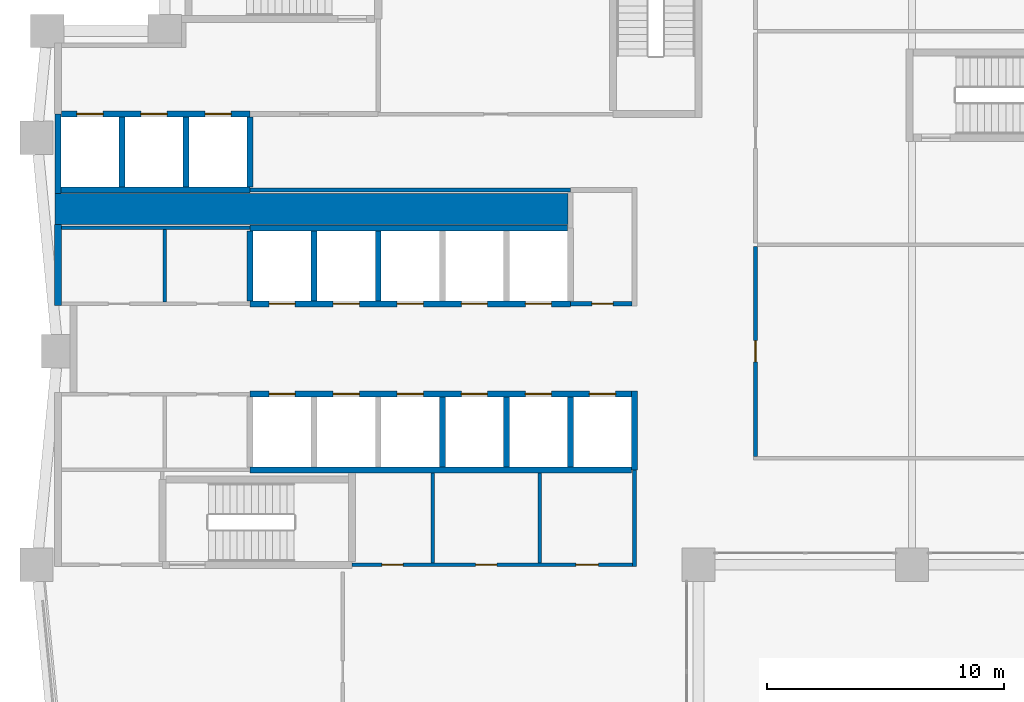
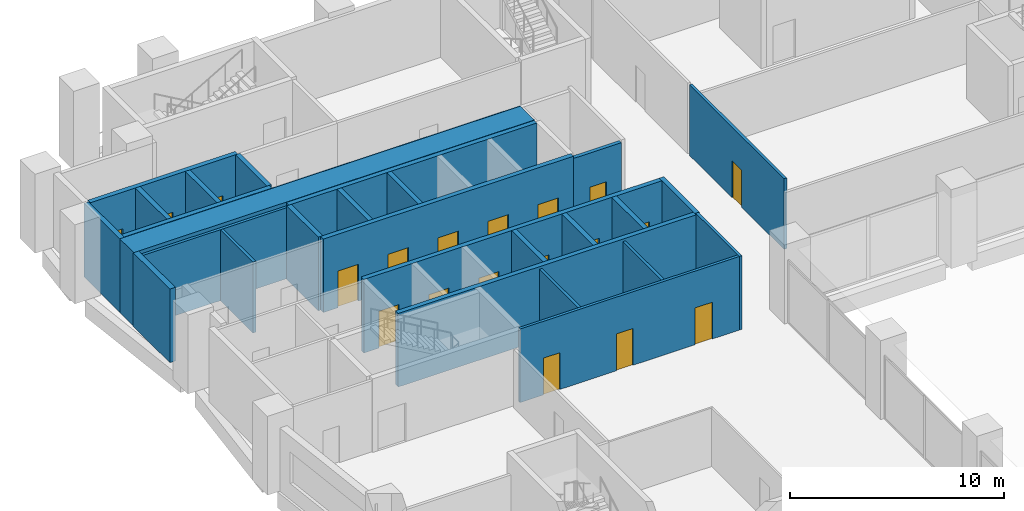
# One storey, part 11 of 18: 28 walls, 19 doors, 19 openings.
"""IFC4 building model written with IfcOpenShell, lengths in metres."""

from ifc_helpers import new_model, si_unit, direction, frame, frame_2d, origin, place, context, subcontext, project, spatial, rectangle, extrude, material, layer, layer_set, type_object, element, fill, save


model = new_model("IFC4")

# Units and contexts
model_context = context("Model", 3, precision=1e-05, world=origin(), true_north=direction((0.0, 1.0)))
body_context = subcontext(model_context, "Body", "Model", "MODEL_VIEW")
ifc_project = project(units=[si_unit("LENGTHUNIT", "METRE"), si_unit("AREAUNIT", "SQUARE_METRE"), si_unit("VOLUMEUNIT", "CUBIC_METRE"), si_unit("PLANEANGLEUNIT", "RADIAN"), si_unit("MASSUNIT", "GRAM", prefix="KILO")], contexts=[model_context])

# Site, building, storey
site_placement = place(None, origin())
site = spatial("IfcSite", under=ifc_project, at=site_placement, CompositionType="ELEMENT")
building_placement = place(site_placement, origin())
building = spatial("IfcBuilding", under=site, at=building_placement, Name="Brondeck Convention Tower", CompositionType="ELEMENT")
storey_placement = place(building_placement, frame((0.0, 0.0, 27.5)))
storey = spatial("IfcBuildingStorey", under=building, at=storey_placement, Name="L04", CompositionType="ELEMENT", Elevation=27.5)

# Wall, openings, doors
ifc_material_1 = material(Name="Concrete C80/95", Category="concrete")
ifc_layer_1 = layer(ifc_material_1, 0.14990234375)
ifc_layer_set_1 = layer_set([ifc_layer_1], Name="Core beam-seat wall 150 Concrete C80/95")
wall_type_1 = type_object("IfcWallType", Name="Core beam-seat wall 150 Concrete C80/95", PredefinedType="SHEAR", material=ifc_layer_set_1)
wall_1_placement = place(storey_placement, frame((12.39990234375, 36.0, 0.0), z_axis=(0.0, 0.0, 1.0), x_axis=(1.0, 0.0, 0.0)))
wall_1 = element("IfcWall", 1, at=wall_1_placement, inside=storey, type_object=wall_type_1, Name="L04 core wall", PredefinedType="SHEAR", context=body_context, shape_type="SweptSolid", body=[
    extrude(rectangle(XDim=11.8251953125, YDim=0.14990234375, at=frame_2d((5.91259765625, 0.0))), origin(), (0.0, 0.0, 1.0), 4.199951171875),
])
opening_1_placement = place(wall_1_placement, frame((1.25, 0.0, 0.0)))
opening_1 = element("IfcOpeningElement", 2, at=opening_1_placement, cuts=wall_1, Name="Opening C06-03", PredefinedType="OPENING", context=body_context, shape_type="SweptSolid", body=[
    extrude(rectangle(XDim=0.89990234375, YDim=2.10009765625, at=frame_2d((0.449951171875, 1.050048828125))), frame((0.0, 0.0849609375, 0.0), z_axis=(0.0, -1.0, 0.0), x_axis=(1.0, 0.0, 0.0)), (0.0, 0.0, 1.0), 0.169921875),
])
opening_2_placement = place(wall_1_placement, frame((5.199951171875, 0.0, 0.0)))
opening_2 = element("IfcOpeningElement", 3, at=opening_2_placement, cuts=wall_1, Name="Opening C06-04", PredefinedType="OPENING", context=body_context, shape_type="SweptSolid", body=[
    extrude(rectangle(XDim=0.89990234375, YDim=2.10009765625, at=frame_2d((0.449951171875, 1.050048828125))), frame((0.0, 0.0849609375, 0.0), z_axis=(0.0, -1.0, 0.0), x_axis=(1.0, 0.0, 0.0)), (0.0, 0.0, 1.0), 0.169921875),
])
opening_3_placement = place(wall_1_placement, frame((9.425048828125, 0.0, 0.0)))
opening_3 = element("IfcOpeningElement", 4, at=opening_3_placement, cuts=wall_1, Name="Opening C06-05", PredefinedType="OPENING", context=body_context, shape_type="SweptSolid", body=[
    extrude(rectangle(XDim=0.949951171875, YDim=2.10009765625, at=frame_2d((0.47509765625, 1.050048828125))), frame((0.0, 0.0849609375, 0.0), z_axis=(0.0, -1.0, 0.0), x_axis=(1.0, 0.0, 0.0)), (0.0, 0.0, 1.0), 0.169921875),
])
ifc_material_2 = material(Name="Steel fire door", Category="steel")
door_type_1 = type_object("IfcDoorType", Name="Room door 900x2100 EI 60", OperationType="NOTDEFINED", PredefinedType="DOOR", material=ifc_material_2)
door_1_placement = place(opening_1_placement, origin())
door_1 = element("IfcDoor", 5, at=door_1_placement, inside=storey, type_object=door_type_1, Name="L04 Room door FR-1", OperationType="SINGLE_SWING_RIGHT", OverallHeight=2.10009765625, OverallWidth=0.89990234375, PredefinedType="DOOR", context=body_context, shape_type="SweptSolid", body=[
    extrude(rectangle(XDim=0.89990234375, YDim=2.10009765625, at=frame_2d((0.449951171875, 1.050048828125))), frame((0.0, 0.02490234375, 0.0), z_axis=(0.0, -1.0, 0.0), x_axis=(1.0, 0.0, 0.0)), (0.0, 0.0, 1.0), 0.050048828125),
])
fill(opening_1, door_1)
door_2_placement = place(opening_2_placement, origin())
door_2 = element("IfcDoor", 6, at=door_2_placement, inside=storey, type_object=door_type_1, Name="L04 Room door FR-2", OperationType="SINGLE_SWING_LEFT", OverallHeight=2.10009765625, OverallWidth=0.89990234375, PredefinedType="DOOR", context=body_context, shape_type="SweptSolid", body=[
    extrude(rectangle(XDim=0.89990234375, YDim=2.10009765625, at=frame_2d((0.449951171875, 1.050048828125))), frame((0.0, 0.02490234375, 0.0), z_axis=(0.0, -1.0, 0.0), x_axis=(1.0, 0.0, 0.0)), (0.0, 0.0, 1.0), 0.050048828125),
])
fill(opening_2, door_2)
door_type_2 = type_object("IfcDoorType", Name="Room door 950x2100 EI 60", OperationType="NOTDEFINED", PredefinedType="DOOR", material=ifc_material_2)
door_3_placement = place(opening_3_placement, origin())
door_3 = element("IfcDoor", 7, at=door_3_placement, inside=storey, type_object=door_type_2, Name="L04 Room door FR-3", OperationType="SINGLE_SWING_RIGHT", OverallHeight=2.10009765625, OverallWidth=0.949951171875, PredefinedType="DOOR", context=body_context, shape_type="SweptSolid", body=[
    extrude(rectangle(XDim=0.949951171875, YDim=2.10009765625, at=frame_2d((0.47509765625, 1.050048828125))), frame((0.0, 0.02490234375, 0.0), z_axis=(0.0, -1.0, 0.0), x_axis=(1.0, 0.0, 0.0)), (0.0, 0.0, 1.0), 0.050048828125),
])
fill(opening_3, door_3)

# Walls
wall_2_placement = place(storey_placement, frame((24.300048828125, 35.925048828125, 0.0), z_axis=(0.0, 0.0, 1.0), x_axis=(0.0, 1.0, 0.0)))
element("IfcWall", 8, at=wall_2_placement, inside=storey, type_object=wall_type_1, Name="L04 core wall", PredefinedType="SHEAR", context=body_context, shape_type="SweptSolid", body=[
    extrude(rectangle(XDim=4.074951171875, YDim=0.14990234375, at=frame_2d((2.03759765625, 0.0))), origin(), (0.0, 0.0, 1.0), 4.199951171875),
])
ifc_layer_2 = layer(ifc_material_1, 0.300048828125)
ifc_layer_set_2 = layer_set([ifc_layer_2], Name="Core outer wall 300 Concrete C80/95")
wall_type_2 = type_object("IfcWallType", Name="Core outer wall 300 Concrete C80/95", PredefinedType="SHEAR", material=ifc_layer_set_2)
wall_3_placement = place(storey_placement, frame((0.0, 46.925048828125, 0.0), z_axis=(0.0, 0.0, 1.0), x_axis=(0.0, 1.0, 0.0)))
element("IfcWall", 9, at=wall_3_placement, inside=storey, type_object=wall_type_2, Name="L04 core wall", PredefinedType="SHEAR", context=body_context, shape_type="SweptSolid", body=[
    extrude(rectangle(XDim=3.425048828125, YDim=0.300048828125, at=frame_2d((1.71240234375, 0.0))), origin(), (0.0, 0.0, 1.0), 4.199951171875),
])
ifc_material_3 = material(Name="Fire-rated gypsum board partition")
ifc_layer_3 = layer(ifc_material_3, 0.14990234375)
ifc_layer_set_3 = layer_set([ifc_layer_3], Name="Core partition 150 EI 60")
wall_type_3 = type_object("IfcWallType", Name="Core partition 150 EI 60", PredefinedType="PARTITIONING", material=ifc_layer_set_3)
wall_4_placement = place(storey_placement, frame((0.14990234375, 50.199951171875, 0.0), z_axis=(0.0, 0.0, 1.0), x_axis=(1.0, 0.0, 0.0)))
element("IfcWall", 10, at=wall_4_placement, inside=storey, type_object=wall_type_3, Name="L04 core wall", PredefinedType="PARTITIONING", context=body_context, shape_type="SweptSolid", body=[
    extrude(rectangle(XDim=7.9501953125, YDim=0.14990234375, at=frame_2d((3.97509765625, 0.0))), origin(), (0.0, 0.0, 1.0), 4.050048828125),
])
wall_5_placement = place(storey_placement, frame((8.10009765625, 51.800048828125, 0.0), z_axis=(0.0, 0.0, 1.0), x_axis=(1.0, 0.0, 0.0)))
element("IfcWall", 11, at=wall_5_placement, inside=storey, type_object=wall_type_3, Name="L04 core wall", PredefinedType="PARTITIONING", context=body_context, shape_type="SweptSolid", body=[
    extrude(rectangle(XDim=13.5, YDim=0.14990234375, at=frame_2d((6.75, 0.0))), origin(), (0.0, 0.0, 1.0), 4.050048828125),
])
wall_6_placement = place(storey_placement, frame((4.5, 47.074951171875, 0.0), z_axis=(0.0, 0.0, 1.0), x_axis=(0.0, 1.0, 0.0)))
element("IfcWall", 12, at=wall_6_placement, inside=storey, type_object=wall_type_3, Name="L04 core wall", PredefinedType="PARTITIONING", context=body_context, shape_type="SweptSolid", body=[
    extrude(rectangle(XDim=3.050048828125, YDim=0.14990234375, at=frame_2d((1.52490234375, 0.0))), origin(), (0.0, 0.0, 1.0), 4.050048828125),
])
for number, where, z_axis, x_axis, name in (
    (13, (15.800048828125, 36.074951171875, 0.0), (0.0, 0.0, 1.0), (0.0, 1.0, 0.0), "L04 core wall"),
    (14, (20.300048828125, 36.074951171875, 0.0), (0.0, 0.0, 1.0), (0.0, 1.0, 0.0), "L04 core wall"),
):
    element("IfcWall", number, at=place(storey_placement, frame(where, z_axis=z_axis, x_axis=x_axis)), inside=storey, type_object=wall_type_3, Name=name, PredefinedType="PARTITIONING", context=body_context, shape_type="SweptSolid", body=[
        extrude(rectangle(XDim=3.800048828125, YDim=0.14990234375, at=frame_2d((1.89990234375, 0.0))), origin(), (0.0, 0.0, 1.0), 4.050048828125),
    ])
ifc_layer_4 = layer(ifc_material_1, 1.300048828125)
ifc_layer_set_4 = layer_set([ifc_layer_4], Name="Core shear wall 1300 Concrete C80/95")
wall_type_4 = type_object("IfcWallType", Name="Core shear wall 1300 Concrete C80/95", PredefinedType="SHEAR", material=ifc_layer_set_4)
wall_7_placement = place(storey_placement, frame((-0.125, 51.0, 0.0), z_axis=(0.0, 0.0, 1.0), x_axis=(1.0, 0.0, 0.0)))
element("IfcWall", 15, at=wall_7_placement, inside=storey, type_object=wall_type_4, Name="L04 core wall", PredefinedType="SHEAR", context=body_context, shape_type="SweptSolid", body=[
    extrude(rectangle(XDim=21.625, YDim=1.300048828125, at=frame_2d((10.8125, 0.0))), origin(), (0.0, 0.0, 1.0), 4.199951171875),
])

# Wall, opening, door
ifc_material_4 = material(Name="Double gypsum board acoustic wall")
ifc_layer_5 = layer(ifc_material_4, 0.14990234375)
ifc_layer_set_5 = layer_set([ifc_layer_5], Name="Guest room party wall 150")
wall_type_5 = type_object("IfcWallType", Name="Guest room party wall 150", PredefinedType="PARTITIONING", material=ifc_layer_set_5)
wall_8_placement = place(storey_placement, frame((29.39990234375, 49.425048828125, 0.0), z_axis=(0.0, 0.0, 1.0), x_axis=(0.0, -1.0, 0.0)))
wall_8 = element("IfcWall", 16, at=wall_8_placement, inside=storey, type_object=wall_type_5, Name="FLR-L04-W018", PredefinedType="PARTITIONING", context=body_context, shape_type="SweptSolid", body=[
    extrude(rectangle(XDim=8.85009765625, YDim=0.14990234375, at=frame_2d((4.425048828125, 0.0))), origin(), (0.0, 0.0, 1.0), 4.030029296875),
])
opening_4_placement = place(wall_8_placement, frame((3.97509765625, 0.0, 0.0)))
opening_4 = element("IfcOpeningElement", 17, at=opening_4_placement, cuts=wall_8, Name="Opening P-L04-001", PredefinedType="OPENING", context=body_context, shape_type="SweptSolid", body=[
    extrude(rectangle(XDim=0.89990234375, YDim=2.10009765625, at=frame_2d((0.449951171875, 1.050048828125))), frame((0.0, 0.0849609375, 0.0), z_axis=(0.0, -1.0, 0.0), x_axis=(1.0, 0.0, 0.0)), (0.0, 0.0, 1.0), 0.169921875),
])
ifc_material_5 = material(Name="Solid timber door leaf", Category="wood")
door_type_3 = type_object("IfcDoorType", Name="Single door 900", OperationType="NOTDEFINED", PredefinedType="DOOR", material=ifc_material_5)
door_4_placement = place(opening_4_placement, origin())
door_4 = element("IfcDoor", 18, at=door_4_placement, inside=storey, type_object=door_type_3, Name="Door P-L04-001", OperationType="SINGLE_SWING_LEFT", OverallHeight=2.10009765625, OverallWidth=0.89990234375, PredefinedType="DOOR", context=body_context, shape_type="SweptSolid", body=[
    extrude(rectangle(XDim=0.89990234375, YDim=2.10009765625, at=frame_2d((0.449951171875, 1.050048828125))), frame((0.0, 0.02490234375, 0.0), z_axis=(0.0, -1.0, 0.0), x_axis=(1.0, 0.0, 0.0)), (0.0, 0.0, 1.0), 0.050048828125),
])
fill(opening_4, door_4)

# Wall
ifc_layer_6 = layer(ifc_material_1, 0.25)
ifc_layer_set_6 = layer_set([ifc_layer_6], Name="Lift shaft wall 250 Concrete C80/95")
wall_type_6 = type_object("IfcWallType", Name="Lift shaft wall 250 Concrete C80/95", PredefinedType="SHEAR", material=ifc_layer_set_6)
wall_9_placement = place(storey_placement, frame((8.10009765625, 40.0, 0.0), z_axis=(0.0, 0.0, 1.0), x_axis=(1.0, 0.0, 0.0)))
element("IfcWall", 19, at=wall_9_placement, inside=storey, type_object=wall_type_6, Name="L04 core wall", PredefinedType="SHEAR", context=body_context, shape_type="SweptSolid", body=[
    extrude(rectangle(XDim=16.074951171875, YDim=0.25, at=frame_2d((8.03759765625, 0.0))), origin(), (0.0, 0.0, 1.0), 4.199951171875),
])

# Wall, openings, doors
wall_10_placement = place(storey_placement, frame((8.10009765625, 43.199951171875, 0.0), z_axis=(0.0, 0.0, 1.0), x_axis=(1.0, 0.0, 0.0)))
wall_10 = element("IfcWall", 20, at=wall_10_placement, inside=storey, type_object=wall_type_6, Name="L04 core wall", PredefinedType="SHEAR", context=body_context, shape_type="SweptSolid", body=[
    extrude(rectangle(XDim=16.074951171875, YDim=0.25, at=frame_2d((8.03759765625, 0.0))), origin(), (0.0, 0.0, 1.0), 4.199951171875),
])
opening_5_placement = place(wall_10_placement, frame((14.300048828125, 0.0, 0.0)))
opening_5 = element("IfcOpeningElement", 21, at=opening_5_placement, cuts=wall_10, Name="Opening C06-24", PredefinedType="OPENING", context=body_context, shape_type="SweptSolid", body=[
    extrude(rectangle(XDim=1.10009765625, YDim=2.10009765625, at=frame_2d((0.550048828125, 1.050048828125))), frame((0.0, 0.135009765625, 0.0), z_axis=(0.0, -1.0, 0.0), x_axis=(1.0, 0.0, 0.0)), (0.0, 0.0, 1.0), 0.27001953125),
])
opening_6_placement = place(wall_10_placement, frame((0.800048828125, 0.0, 0.0)))
opening_6 = element("IfcOpeningElement", 22, at=opening_6_placement, cuts=wall_10, Name="Opening C06-25", PredefinedType="OPENING", context=body_context, shape_type="SweptSolid", body=[
    extrude(rectangle(XDim=1.10009765625, YDim=2.10009765625, at=frame_2d((0.550048828125, 1.050048828125))), frame((0.0, 0.135009765625, 0.0), z_axis=(0.0, -1.0, 0.0), x_axis=(1.0, 0.0, 0.0)), (0.0, 0.0, 1.0), 0.27001953125),
])
opening_7_placement = place(wall_10_placement, frame((3.5, 0.0, 0.0)))
opening_7 = element("IfcOpeningElement", 23, at=opening_7_placement, cuts=wall_10, Name="Opening C06-26", PredefinedType="OPENING", context=body_context, shape_type="SweptSolid", body=[
    extrude(rectangle(XDim=1.10009765625, YDim=2.10009765625, at=frame_2d((0.550048828125, 1.050048828125))), frame((0.0, 0.135009765625, 0.0), z_axis=(0.0, -1.0, 0.0), x_axis=(1.0, 0.0, 0.0)), (0.0, 0.0, 1.0), 0.27001953125),
])
opening_8_placement = place(wall_10_placement, frame((6.199951171875, 0.0, 0.0)))
opening_8 = element("IfcOpeningElement", 24, at=opening_8_placement, cuts=wall_10, Name="Opening C06-27", PredefinedType="OPENING", context=body_context, shape_type="SweptSolid", body=[
    extrude(rectangle(XDim=1.10009765625, YDim=2.10009765625, at=frame_2d((0.550048828125, 1.050048828125))), frame((0.0, 0.135009765625, 0.0), z_axis=(0.0, -1.0, 0.0), x_axis=(1.0, 0.0, 0.0)), (0.0, 0.0, 1.0), 0.27001953125),
])
opening_9_placement = place(wall_10_placement, frame((8.89990234375, 0.0, 0.0)))
opening_9 = element("IfcOpeningElement", 25, at=opening_9_placement, cuts=wall_10, Name="Opening C06-33", PredefinedType="OPENING", context=body_context, shape_type="SweptSolid", body=[
    extrude(rectangle(XDim=1.10009765625, YDim=2.10009765625, at=frame_2d((0.550048828125, 1.050048828125))), frame((0.0, 0.135009765625, 0.0), z_axis=(0.0, -1.0, 0.0), x_axis=(1.0, 0.0, 0.0)), (0.0, 0.0, 1.0), 0.27001953125),
])
opening_10_placement = place(wall_10_placement, frame((11.60009765625, 0.0, 0.0)))
opening_10 = element("IfcOpeningElement", 26, at=opening_10_placement, cuts=wall_10, Name="Opening C06-34", PredefinedType="OPENING", context=body_context, shape_type="SweptSolid", body=[
    extrude(rectangle(XDim=1.10009765625, YDim=2.10009765625, at=frame_2d((0.550048828125, 1.050048828125))), frame((0.0, 0.135009765625, 0.0), z_axis=(0.0, -1.0, 0.0), x_axis=(1.0, 0.0, 0.0)), (0.0, 0.0, 1.0), 0.27001953125),
])
ifc_material_6 = material(Name="Stainless steel lift door", Category="steel")
door_type_4 = type_object("IfcDoorType", Name="Lift landing door 1100x2100 EI 180", OperationType="DOUBLE_DOOR_SLIDING", PredefinedType="DOOR", material=ifc_material_6)
door_5_placement = place(opening_5_placement, origin())
door_5 = element("IfcDoor", 27, at=door_5_placement, inside=storey, type_object=door_type_4, Name="L04 Lift landing door HS1", OperationType="DOUBLE_DOOR_SLIDING", OverallHeight=2.10009765625, OverallWidth=1.10009765625, PredefinedType="DOOR", context=body_context, shape_type="SweptSolid", body=[
    extrude(rectangle(XDim=1.10009765625, YDim=2.10009765625, at=frame_2d((0.550048828125, 1.050048828125))), frame((0.0, 0.02490234375, 0.0), z_axis=(0.0, -1.0, 0.0), x_axis=(1.0, 0.0, 0.0)), (0.0, 0.0, 1.0), 0.050048828125),
])
fill(opening_5, door_5)
door_6_placement = place(opening_6_placement, origin())
door_6 = element("IfcDoor", 28, at=door_6_placement, inside=storey, type_object=door_type_4, Name="L04 Lift landing door LR1", OperationType="DOUBLE_DOOR_SLIDING", OverallHeight=2.10009765625, OverallWidth=1.10009765625, PredefinedType="DOOR", context=body_context, shape_type="SweptSolid", body=[
    extrude(rectangle(XDim=1.10009765625, YDim=2.10009765625, at=frame_2d((0.550048828125, 1.050048828125))), frame((0.0, 0.02490234375, 0.0), z_axis=(0.0, -1.0, 0.0), x_axis=(1.0, 0.0, 0.0)), (0.0, 0.0, 1.0), 0.050048828125),
])
fill(opening_6, door_6)
door_7_placement = place(opening_7_placement, origin())
door_7 = element("IfcDoor", 29, at=door_7_placement, inside=storey, type_object=door_type_4, Name="L04 Lift landing door LR2", OperationType="DOUBLE_DOOR_SLIDING", OverallHeight=2.10009765625, OverallWidth=1.10009765625, PredefinedType="DOOR", context=body_context, shape_type="SweptSolid", body=[
    extrude(rectangle(XDim=1.10009765625, YDim=2.10009765625, at=frame_2d((0.550048828125, 1.050048828125))), frame((0.0, 0.02490234375, 0.0), z_axis=(0.0, -1.0, 0.0), x_axis=(1.0, 0.0, 0.0)), (0.0, 0.0, 1.0), 0.050048828125),
])
fill(opening_7, door_7)
door_8_placement = place(opening_8_placement, origin())
door_8 = element("IfcDoor", 30, at=door_8_placement, inside=storey, type_object=door_type_4, Name="L04 Lift landing door LR3", OperationType="DOUBLE_DOOR_SLIDING", OverallHeight=2.10009765625, OverallWidth=1.10009765625, PredefinedType="DOOR", context=body_context, shape_type="SweptSolid", body=[
    extrude(rectangle(XDim=1.10009765625, YDim=2.10009765625, at=frame_2d((0.550048828125, 1.050048828125))), frame((0.0, 0.02490234375, 0.0), z_axis=(0.0, -1.0, 0.0), x_axis=(1.0, 0.0, 0.0)), (0.0, 0.0, 1.0), 0.050048828125),
])
fill(opening_8, door_8)
door_9_placement = place(opening_9_placement, origin())
door_9 = element("IfcDoor", 31, at=door_9_placement, inside=storey, type_object=door_type_4, Name="L04 Lift landing door SH1", OperationType="DOUBLE_DOOR_SLIDING", OverallHeight=2.10009765625, OverallWidth=1.10009765625, PredefinedType="DOOR", context=body_context, shape_type="SweptSolid", body=[
    extrude(rectangle(XDim=1.10009765625, YDim=2.10009765625, at=frame_2d((0.550048828125, 1.050048828125))), frame((0.0, 0.02490234375, 0.0), z_axis=(0.0, -1.0, 0.0), x_axis=(1.0, 0.0, 0.0)), (0.0, 0.0, 1.0), 0.050048828125),
])
fill(opening_9, door_9)
door_10_placement = place(opening_10_placement, origin())
door_10 = element("IfcDoor", 32, at=door_10_placement, inside=storey, type_object=door_type_4, Name="L04 Lift landing door SH2", OperationType="DOUBLE_DOOR_SLIDING", OverallHeight=2.10009765625, OverallWidth=1.10009765625, PredefinedType="DOOR", context=body_context, shape_type="SweptSolid", body=[
    extrude(rectangle(XDim=1.10009765625, YDim=2.10009765625, at=frame_2d((0.550048828125, 1.050048828125))), frame((0.0, 0.02490234375, 0.0), z_axis=(0.0, -1.0, 0.0), x_axis=(1.0, 0.0, 0.0)), (0.0, 0.0, 1.0), 0.050048828125),
])
fill(opening_10, door_10)

wall_11_placement = place(storey_placement, frame((8.10009765625, 47.0, 0.0), z_axis=(0.0, 0.0, 1.0), x_axis=(1.0, 0.0, 0.0)))
wall_11 = element("IfcWall", 33, at=wall_11_placement, inside=storey, type_object=wall_type_6, Name="L04 core wall", PredefinedType="SHEAR", context=body_context, shape_type="SweptSolid", body=[
    extrude(rectangle(XDim=13.5, YDim=0.25, at=frame_2d((6.75, 0.0))), origin(), (0.0, 0.0, 1.0), 4.199951171875),
])
opening_11_placement = place(wall_11_placement, frame((0.800048828125, 0.0, 0.0)))
opening_11 = element("IfcOpeningElement", 34, at=opening_11_placement, cuts=wall_11, Name="Opening C06-28", PredefinedType="OPENING", context=body_context, shape_type="SweptSolid", body=[
    extrude(rectangle(XDim=1.10009765625, YDim=2.10009765625, at=frame_2d((0.550048828125, 1.050048828125))), frame((0.0, 0.135009765625, 0.0), z_axis=(0.0, -1.0, 0.0), x_axis=(1.0, 0.0, 0.0)), (0.0, 0.0, 1.0), 0.27001953125),
])
opening_12_placement = place(wall_11_placement, frame((3.5, 0.0, 0.0)))
opening_12 = element("IfcOpeningElement", 35, at=opening_12_placement, cuts=wall_11, Name="Opening C06-29", PredefinedType="OPENING", context=body_context, shape_type="SweptSolid", body=[
    extrude(rectangle(XDim=1.10009765625, YDim=2.10009765625, at=frame_2d((0.550048828125, 1.050048828125))), frame((0.0, 0.135009765625, 0.0), z_axis=(0.0, -1.0, 0.0), x_axis=(1.0, 0.0, 0.0)), (0.0, 0.0, 1.0), 0.27001953125),
])
opening_13_placement = place(wall_11_placement, frame((6.199951171875, 0.0, 0.0)))
opening_13 = element("IfcOpeningElement", 36, at=opening_13_placement, cuts=wall_11, Name="Opening C06-30", PredefinedType="OPENING", context=body_context, shape_type="SweptSolid", body=[
    extrude(rectangle(XDim=1.10009765625, YDim=2.10009765625, at=frame_2d((0.550048828125, 1.050048828125))), frame((0.0, 0.135009765625, 0.0), z_axis=(0.0, -1.0, 0.0), x_axis=(1.0, 0.0, 0.0)), (0.0, 0.0, 1.0), 0.27001953125),
])
opening_14_placement = place(wall_11_placement, frame((8.89990234375, 0.0, 0.0)))
opening_14 = element("IfcOpeningElement", 37, at=opening_14_placement, cuts=wall_11, Name="Opening C06-31", PredefinedType="OPENING", context=body_context, shape_type="SweptSolid", body=[
    extrude(rectangle(XDim=1.10009765625, YDim=2.10009765625, at=frame_2d((0.550048828125, 1.050048828125))), frame((0.0, 0.135009765625, 0.0), z_axis=(0.0, -1.0, 0.0), x_axis=(1.0, 0.0, 0.0)), (0.0, 0.0, 1.0), 0.27001953125),
])
opening_15_placement = place(wall_11_placement, frame((11.60009765625, 0.0, 0.0)))
opening_15 = element("IfcOpeningElement", 38, at=opening_15_placement, cuts=wall_11, Name="Opening C06-32", PredefinedType="OPENING", context=body_context, shape_type="SweptSolid", body=[
    extrude(rectangle(XDim=1.10009765625, YDim=2.10009765625, at=frame_2d((0.550048828125, 1.050048828125))), frame((0.0, 0.135009765625, 0.0), z_axis=(0.0, -1.0, 0.0), x_axis=(1.0, 0.0, 0.0)), (0.0, 0.0, 1.0), 0.27001953125),
])
door_11_placement = place(opening_11_placement, origin())
door_11 = element("IfcDoor", 39, at=door_11_placement, inside=storey, type_object=door_type_4, Name="L04 Lift landing door LR4", OperationType="DOUBLE_DOOR_SLIDING", OverallHeight=2.10009765625, OverallWidth=1.10009765625, PredefinedType="DOOR", context=body_context, shape_type="SweptSolid", body=[
    extrude(rectangle(XDim=1.10009765625, YDim=2.10009765625, at=frame_2d((0.550048828125, 1.050048828125))), frame((0.0, 0.02490234375, 0.0), z_axis=(0.0, -1.0, 0.0), x_axis=(1.0, 0.0, 0.0)), (0.0, 0.0, 1.0), 0.050048828125),
])
fill(opening_11, door_11)
door_12_placement = place(opening_12_placement, origin())
door_12 = element("IfcDoor", 40, at=door_12_placement, inside=storey, type_object=door_type_4, Name="L04 Lift landing door LR5", OperationType="DOUBLE_DOOR_SLIDING", OverallHeight=2.10009765625, OverallWidth=1.10009765625, PredefinedType="DOOR", context=body_context, shape_type="SweptSolid", body=[
    extrude(rectangle(XDim=1.10009765625, YDim=2.10009765625, at=frame_2d((0.550048828125, 1.050048828125))), frame((0.0, 0.02490234375, 0.0), z_axis=(0.0, -1.0, 0.0), x_axis=(1.0, 0.0, 0.0)), (0.0, 0.0, 1.0), 0.050048828125),
])
fill(opening_12, door_12)
door_13_placement = place(opening_13_placement, origin())
door_13 = element("IfcDoor", 41, at=door_13_placement, inside=storey, type_object=door_type_4, Name="L04 Lift landing door LR6", OperationType="DOUBLE_DOOR_SLIDING", OverallHeight=2.10009765625, OverallWidth=1.10009765625, PredefinedType="DOOR", context=body_context, shape_type="SweptSolid", body=[
    extrude(rectangle(XDim=1.10009765625, YDim=2.10009765625, at=frame_2d((0.550048828125, 1.050048828125))), frame((0.0, 0.02490234375, 0.0), z_axis=(0.0, -1.0, 0.0), x_axis=(1.0, 0.0, 0.0)), (0.0, 0.0, 1.0), 0.050048828125),
])
fill(opening_13, door_13)
door_14_placement = place(opening_14_placement, origin())
door_14 = element("IfcDoor", 42, at=door_14_placement, inside=storey, type_object=door_type_4, Name="L04 Lift landing door PL1", OperationType="DOUBLE_DOOR_SLIDING", OverallHeight=2.10009765625, OverallWidth=1.10009765625, PredefinedType="DOOR", context=body_context, shape_type="SweptSolid", body=[
    extrude(rectangle(XDim=1.10009765625, YDim=2.10009765625, at=frame_2d((0.550048828125, 1.050048828125))), frame((0.0, 0.02490234375, 0.0), z_axis=(0.0, -1.0, 0.0), x_axis=(1.0, 0.0, 0.0)), (0.0, 0.0, 1.0), 0.050048828125),
])
fill(opening_14, door_14)
door_15_placement = place(opening_15_placement, origin())
door_15 = element("IfcDoor", 43, at=door_15_placement, inside=storey, type_object=door_type_4, Name="L04 Lift landing door PL2", OperationType="DOUBLE_DOOR_SLIDING", OverallHeight=2.10009765625, OverallWidth=1.10009765625, PredefinedType="DOOR", context=body_context, shape_type="SweptSolid", body=[
    extrude(rectangle(XDim=1.10009765625, YDim=2.10009765625, at=frame_2d((0.550048828125, 1.050048828125))), frame((0.0, 0.02490234375, 0.0), z_axis=(0.0, -1.0, 0.0), x_axis=(1.0, 0.0, 0.0)), (0.0, 0.0, 1.0), 0.050048828125),
])
fill(opening_15, door_15)

# Walls
wall_12_placement = place(storey_placement, frame((8.10009765625, 50.199951171875, 0.0), z_axis=(0.0, 0.0, 1.0), x_axis=(1.0, 0.0, 0.0)))
element("IfcWall", 44, at=wall_12_placement, inside=storey, type_object=wall_type_6, Name="L04 core wall", PredefinedType="SHEAR", context=body_context, shape_type="SweptSolid", body=[
    extrude(rectangle(XDim=13.375, YDim=0.25, at=frame_2d((6.6875, 0.0))), origin(), (0.0, 0.0, 1.0), 4.199951171875),
])
wall_13_placement = place(storey_placement, frame((0.125, 51.800048828125, 0.0), z_axis=(0.0, 0.0, 1.0), x_axis=(1.0, 0.0, 0.0)))
element("IfcWall", 45, at=wall_13_placement, inside=storey, type_object=wall_type_6, Name="L04 core wall", PredefinedType="SHEAR", context=body_context, shape_type="SweptSolid", body=[
    extrude(rectangle(XDim=7.97509765625, YDim=0.25, at=frame_2d((3.987548828125, 0.0))), origin(), (0.0, 0.0, 1.0), 4.199951171875),
])

# Wall, openings, doors
wall_14_placement = place(storey_placement, frame((0.14990234375, 55.0, 0.0), z_axis=(0.0, 0.0, 1.0), x_axis=(1.0, 0.0, 0.0)))
wall_14 = element("IfcWall", 46, at=wall_14_placement, inside=storey, type_object=wall_type_6, Name="L04 core wall", PredefinedType="SHEAR", context=body_context, shape_type="SweptSolid", body=[
    extrude(rectangle(XDim=7.9501953125, YDim=0.25, at=frame_2d((3.97509765625, 0.0))), origin(), (0.0, 0.0, 1.0), 4.199951171875),
])
opening_16_placement = place(wall_14_placement, frame((0.64990234375, 0.0, 0.0)))
opening_16 = element("IfcOpeningElement", 47, at=opening_16_placement, cuts=wall_14, Name="Opening C06-21", PredefinedType="OPENING", context=body_context, shape_type="SweptSolid", body=[
    extrude(rectangle(XDim=1.10009765625, YDim=2.10009765625, at=frame_2d((0.550048828125, 1.050048828125))), frame((0.0, 0.135009765625, 0.0), z_axis=(0.0, -1.0, 0.0), x_axis=(1.0, 0.0, 0.0)), (0.0, 0.0, 1.0), 0.27001953125),
])
opening_17_placement = place(wall_14_placement, frame((3.35009765625, 0.0, 0.0)))
opening_17 = element("IfcOpeningElement", 48, at=opening_17_placement, cuts=wall_14, Name="Opening C06-22", PredefinedType="OPENING", context=body_context, shape_type="SweptSolid", body=[
    extrude(rectangle(XDim=1.10009765625, YDim=2.10009765625, at=frame_2d((0.550048828125, 1.050048828125))), frame((0.0, 0.135009765625, 0.0), z_axis=(0.0, -1.0, 0.0), x_axis=(1.0, 0.0, 0.0)), (0.0, 0.0, 1.0), 0.27001953125),
])
opening_18_placement = place(wall_14_placement, frame((6.050048828125, 0.0, 0.0)))
opening_18 = element("IfcOpeningElement", 49, at=opening_18_placement, cuts=wall_14, Name="Opening C06-23", PredefinedType="OPENING", context=body_context, shape_type="SweptSolid", body=[
    extrude(rectangle(XDim=1.10009765625, YDim=2.10009765625, at=frame_2d((0.550048828125, 1.050048828125))), frame((0.0, 0.135009765625, 0.0), z_axis=(0.0, -1.0, 0.0), x_axis=(1.0, 0.0, 0.0)), (0.0, 0.0, 1.0), 0.27001953125),
])
door_16_placement = place(opening_16_placement, origin())
door_16 = element("IfcDoor", 50, at=door_16_placement, inside=storey, type_object=door_type_4, Name="L04 Lift landing door FF1", OperationType="DOUBLE_DOOR_SLIDING", OverallHeight=2.10009765625, OverallWidth=1.10009765625, PredefinedType="DOOR", context=body_context, shape_type="SweptSolid", body=[
    extrude(rectangle(XDim=1.10009765625, YDim=2.10009765625, at=frame_2d((0.550048828125, 1.050048828125))), frame((0.0, 0.02490234375, 0.0), z_axis=(0.0, -1.0, 0.0), x_axis=(1.0, 0.0, 0.0)), (0.0, 0.0, 1.0), 0.050048828125),
])
fill(opening_16, door_16)
door_17_placement = place(opening_17_placement, origin())
door_17 = element("IfcDoor", 51, at=door_17_placement, inside=storey, type_object=door_type_4, Name="L04 Lift landing door FF2", OperationType="DOUBLE_DOOR_SLIDING", OverallHeight=2.10009765625, OverallWidth=1.10009765625, PredefinedType="DOOR", context=body_context, shape_type="SweptSolid", body=[
    extrude(rectangle(XDim=1.10009765625, YDim=2.10009765625, at=frame_2d((0.550048828125, 1.050048828125))), frame((0.0, 0.02490234375, 0.0), z_axis=(0.0, -1.0, 0.0), x_axis=(1.0, 0.0, 0.0)), (0.0, 0.0, 1.0), 0.050048828125),
])
fill(opening_17, door_17)
door_18_placement = place(opening_18_placement, origin())
door_18 = element("IfcDoor", 52, at=door_18_placement, inside=storey, type_object=door_type_4, Name="L04 Lift landing door FF3", OperationType="DOUBLE_DOOR_SLIDING", OverallHeight=2.10009765625, OverallWidth=1.10009765625, PredefinedType="DOOR", context=body_context, shape_type="SweptSolid", body=[
    extrude(rectangle(XDim=1.10009765625, YDim=2.10009765625, at=frame_2d((0.550048828125, 1.050048828125))), frame((0.0, 0.02490234375, 0.0), z_axis=(0.0, -1.0, 0.0), x_axis=(1.0, 0.0, 0.0)), (0.0, 0.0, 1.0), 0.050048828125),
])
fill(opening_18, door_18)

# Walls
wall_15_placement = place(storey_placement, frame((0.0, 51.64990234375, 0.0), z_axis=(0.0, 0.0, 1.0), x_axis=(0.0, 1.0, 0.0)))
element("IfcWall", 53, at=wall_15_placement, inside=storey, type_object=wall_type_6, Name="L04 core wall", PredefinedType="SHEAR", context=body_context, shape_type="SweptSolid", body=[
    extrude(rectangle(XDim=3.35009765625, YDim=0.25, at=frame_2d((1.675048828125, 0.0))), origin(), (0.0, 0.0, 1.0), 4.199951171875),
])
for number, where, z_axis, x_axis, name in (
    (54, (2.699951171875, 51.925048828125, 0.0), (0.0, 0.0, 1.0), (0.0, 1.0, 0.0), "L04 core wall"),
    (55, (5.39990234375, 51.925048828125, 0.0), (0.0, 0.0, 1.0), (0.0, 1.0, 0.0), "L04 core wall"),
    (56, (8.10009765625, 47.125, 0.0), (0.0, 0.0, 1.0), (0.0, 1.0, 0.0), "L04 core wall"),
    (57, (8.10009765625, 51.925048828125, 0.0), (0.0, 0.0, 1.0), (0.0, 1.0, 0.0), "L04 core wall"),
    (58, (10.800048828125, 47.125, 0.0), (0.0, 0.0, 1.0), (0.0, 1.0, 0.0), "L04 core wall"),
    (59, (13.5, 47.125, 0.0), (0.0, 0.0, 1.0), (0.0, 1.0, 0.0), "L04 core wall"),
    (60, (16.199951171875, 40.125, 0.0), (0.0, 0.0, 1.0), (0.0, 1.0, 0.0), "L04 core wall"),
    (61, (18.89990234375, 40.125, 0.0), (0.0, 0.0, 1.0), (0.0, 1.0, 0.0), "L04 core wall"),
    (62, (21.60009765625, 40.125, 0.0), (0.0, 0.0, 1.0), (0.0, 1.0, 0.0), "L04 core wall"),
):
    element("IfcWall", number, at=place(storey_placement, frame(where, z_axis=z_axis, x_axis=x_axis)), inside=storey, type_object=wall_type_6, Name=name, PredefinedType="SHEAR", context=body_context, shape_type="SweptSolid", body=[
        extrude(rectangle(XDim=2.949951171875, YDim=0.25, at=frame_2d((1.47509765625, 0.0))), origin(), (0.0, 0.0, 1.0), 4.199951171875),
    ])
wall_16_placement = place(storey_placement, frame((24.300048828125, 40.0, 0.0), z_axis=(0.0, 0.0, 1.0), x_axis=(0.0, 1.0, 0.0)))
element("IfcWall", 63, at=wall_16_placement, inside=storey, type_object=wall_type_6, Name="L04 core wall", PredefinedType="SHEAR", context=body_context, shape_type="SweptSolid", body=[
    extrude(rectangle(XDim=3.324951171875, YDim=0.25, at=frame_2d((1.66259765625, 0.0))), origin(), (0.0, 0.0, 1.0), 4.199951171875),
])

# Wall, opening, door
ifc_layer_7 = layer(ifc_material_3, 0.199951171875)
ifc_layer_set_7 = layer_set([ifc_layer_7], Name="Riser wall 200 EI 120")
wall_type_7 = type_object("IfcWallType", Name="Riser wall 200 EI 120", PredefinedType="PARTITIONING", material=ifc_layer_set_7)
wall_17_placement = place(storey_placement, frame((21.60009765625, 47.0, 0.0), z_axis=(0.0, 0.0, 1.0), x_axis=(1.0, 0.0, 0.0)))
wall_17 = element("IfcWall", 64, at=wall_17_placement, inside=storey, type_object=wall_type_7, Name="L04 core wall", PredefinedType="PARTITIONING", context=body_context, shape_type="SweptSolid", body=[
    extrude(rectangle(XDim=2.599853515625, YDim=0.199951171875, at=frame_2d((1.2998046875, 0.0))), origin(), (0.0, 0.0, 1.0), 4.050048828125),
])
opening_19_placement = place(wall_17_placement, frame((0.89990234375, 0.0, 0.0)))
opening_19 = element("IfcOpeningElement", 65, at=opening_19_placement, cuts=wall_17, Name="Opening C06-02", PredefinedType="OPENING", context=body_context, shape_type="SweptSolid", body=[
    extrude(rectangle(XDim=0.89990234375, YDim=2.10009765625, at=frame_2d((0.449951171875, 1.050048828125))), frame((0.0, 0.10986328125, 0.0), z_axis=(0.0, -1.0, 0.0), x_axis=(1.0, 0.0, 0.0)), (0.0, 0.0, 1.0), 0.219970703125),
])
door_type_5 = type_object("IfcDoorType", Name="Riser door 900x2100 EI 120", OperationType="NOTDEFINED", PredefinedType="DOOR", material=ifc_material_2)
door_19_placement = place(opening_19_placement, origin())
door_19 = element("IfcDoor", 66, at=door_19_placement, inside=storey, type_object=door_type_5, Name="L04 Riser door EN-1", OperationType="SINGLE_SWING_LEFT", OverallHeight=2.10009765625, OverallWidth=0.89990234375, PredefinedType="DOOR", context=body_context, shape_type="SweptSolid", body=[
    extrude(rectangle(XDim=0.89990234375, YDim=2.10009765625, at=frame_2d((0.449951171875, 1.050048828125))), frame((0.0, 0.02490234375, 0.0), z_axis=(0.0, -1.0, 0.0), x_axis=(1.0, 0.0, 0.0)), (0.0, 0.0, 1.0), 0.050048828125),
])
fill(opening_19, door_19)

save(model, "model.ifc")
